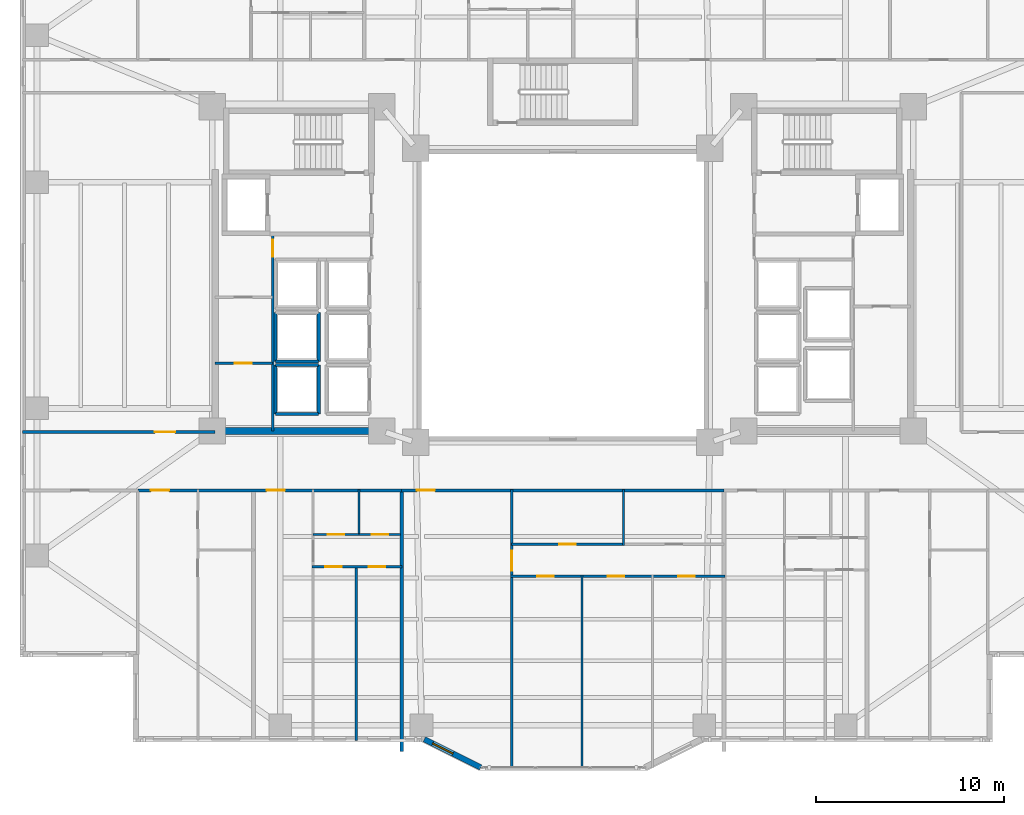
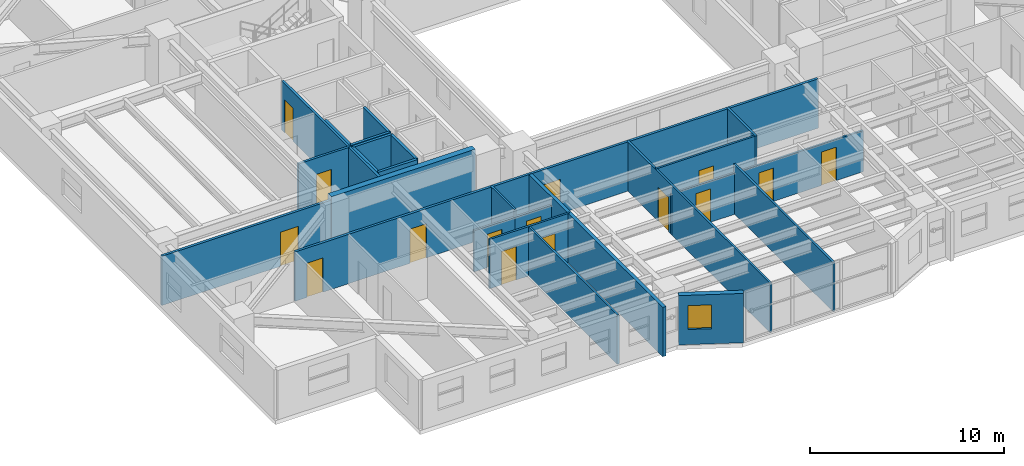
# One storey, part 10 of 21: 25 walls, 15 doors, 1 window, 16 openings.
"""IFC4 building model written with IfcOpenShell, lengths in metres."""

from ifc_helpers import new_model, si_unit, direction, frame, frame_2d, origin, place, context, subcontext, project, spatial, rectangle, extrude, material, layer, layer_set, type_object, element, fill, save


model = new_model("IFC4")

# Units and contexts
model_context = context("Model", 3, precision=1e-05, world=origin(), true_north=direction((0.0, 1.0)))
body_context = subcontext(model_context, "Body", "Model", "MODEL_VIEW")
ifc_project = project(units=[si_unit("LENGTHUNIT", "METRE"), si_unit("AREAUNIT", "SQUARE_METRE"), si_unit("VOLUMEUNIT", "CUBIC_METRE"), si_unit("PLANEANGLEUNIT", "RADIAN"), si_unit("MASSUNIT", "GRAM", prefix="KILO")], contexts=[model_context])

# Site, building, storey
site_placement = place(None, origin())
site = spatial("IfcSite", under=ifc_project, at=site_placement, CompositionType="ELEMENT")
building_placement = place(site_placement, origin())
building = spatial("IfcBuilding", under=site, at=building_placement, Name="Tarnavaz Court Tower", CompositionType="ELEMENT")
storey_placement = place(building_placement, frame((0.0, 0.0, 40.75)))
storey = spatial("IfcBuildingStorey", under=building, at=storey_placement, Name="L10", CompositionType="ELEMENT", Elevation=40.75)

# Wall
ifc_material_1 = material(Name="Concrete C60/75", Category="concrete")
ifc_layer_1 = layer(ifc_material_1, 0.35009765625)
ifc_layer_set_1 = layer_set([ifc_layer_1], Name="Concrete C60/75")
wall_type_1 = type_object("IfcWallType", Name="WL-CORE-350-C60", PredefinedType="SHEAR", material=ifc_layer_set_1)
wall_1_placement = place(storey_placement, frame((-18.625, -7.199951171875, 0.0), z_axis=(0.0, 0.0, 1.0), x_axis=(1.0, 0.0, 0.0)))
element("IfcWall", 1, at=wall_1_placement, inside=storey, type_object=wall_type_1, Name="L10 West Core South Shear Wall 070", PredefinedType="SHEAR", context=body_context, shape_type="SweptSolid", body=[
    extrude(rectangle(XDim=8.550048828125, YDim=0.35009765625, at=frame_2d((4.27490234375, 0.0))), origin(), (0.0, 0.0, 1.0), 3.35009765625),
])

# Wall, opening, window
ifc_material_2 = material(Name="Precast Concrete C40/50", Category="concrete")
ifc_layer_2 = layer(ifc_material_2, 0.300048828125)
ifc_layer_set_2 = layer_set([ifc_layer_2], Name="Precast Concrete C40/50")
wall_type_2 = type_object("IfcWallType", Name="WL-EXT-300", PredefinedType="SOLIDWALL", material=ifc_layer_set_2)
wall_2_placement = place(storey_placement, frame((-4.35009765625, -25.050048828125, 0.0), z_axis=(0.0, 0.0, 1.0), x_axis=(-0.894427191, 0.4472135955, 0.0)))
wall_2 = element("IfcWall", 2, at=wall_2_placement, inside=storey, type_object=wall_type_2, Name="L10 Exterior Terracotta Facade Wall 18", PredefinedType="SOLIDWALL", context=body_context, shape_type="SweptSolid", body=[
    extrude(rectangle(XDim=3.35400390625, YDim=0.300048828125, at=frame_2d((1.677001953125, 0.0))), origin(), (0.0, 0.0, 1.0), 3.10009765625),
])
opening_1_placement = place(wall_2_placement, frame((1.65283203125, 0.0, 0.949951171875)))
opening_1 = element("IfcOpeningElement", 3, at=opening_1_placement, cuts=wall_2, Name="Opening W05", PredefinedType="OPENING", context=body_context, shape_type="SweptSolid", body=[
    extrude(rectangle(XDim=1.199951171875, YDim=1.5, at=frame_2d((0.60009765625, 0.75))), frame((0.0, 0.159912109375, 0.0), z_axis=(0.0, -1.0, 0.0), x_axis=(1.0, 0.0, 0.0)), (0.0, 0.0, 1.0), 0.320068359375),
])
ifc_material_3 = material(Name="Double-Glazed Solar Low-E Glass", Category="glass")
window_type = type_object("IfcWindowType", Name="WN-APT-1200", PartitioningType="SINGLE_PANEL", PredefinedType="WINDOW", material=ifc_material_3)
window_placement = place(opening_1_placement, origin())
window = element("IfcWindow", 4, at=window_placement, inside=storey, type_object=window_type, Name="L10 Flat 07 Living and Dining Room Window", OverallHeight=1.5, OverallWidth=1.199951171875, PartitioningType="SINGLE_PANEL", PredefinedType="WINDOW", context=body_context, shape_type="SweptSolid", body=[
    extrude(rectangle(XDim=1.199951171875, YDim=1.5, at=frame_2d((0.60009765625, 0.75))), frame((0.0, 0.030029296875, 0.0), z_axis=(0.0, -1.0, 0.0), x_axis=(1.0, 0.0, 0.0)), (0.0, 0.0, 1.0), 0.06005859375),
])
fill(opening_1, window)

# Wall, openings, doors
ifc_material_4 = material(Name="Gypsum Fire-Board on Acoustic Metal Stud", Category="masonry")
ifc_layer_3 = layer(ifc_material_4, 0.14990234375)
ifc_layer_set_3 = layer_set([ifc_layer_3], Name="Gypsum Fire-Board on Acoustic Metal Stud")
wall_type_3 = type_object("IfcWallType", Name="WL-FIRE-150", PredefinedType="PARTITIONING", material=ifc_layer_set_3)
wall_3_placement = place(storey_placement, frame((-22.550048828125, -10.35009765625, 0.0), z_axis=(0.0, 0.0, 1.0), x_axis=(1.0, 0.0, 0.0)))
wall_3 = element("IfcWall", 5, at=wall_3_placement, inside=storey, type_object=wall_type_3, Name="L10 SW Corridor Wall 085", PredefinedType="PARTITIONING", context=body_context, shape_type="SweptSolid", body=[
    extrude(rectangle(XDim=14.0, YDim=0.14990234375, at=frame_2d((7.0, 0.0))), origin(), (0.0, 0.0, 1.0), 3.10009765625),
])
opening_2_placement = place(wall_3_placement, frame((0.699951171875, 0.0, 0.0)))
opening_2 = element("IfcOpeningElement", 6, at=opening_2_placement, cuts=wall_3, Name="Opening D06", PredefinedType="OPENING", context=body_context, shape_type="SweptSolid", body=[
    extrude(rectangle(XDim=0.9599609375, YDim=2.14990234375, at=frame_2d((0.47998046875, 1.074951171875))), frame((0.0, 0.0849609375, 0.0), z_axis=(0.0, -1.0, 0.0), x_axis=(1.0, 0.0, 0.0)), (0.0, 0.0, 1.0), 0.169921875),
])
opening_3_placement = place(wall_3_placement, frame((6.837890625, 0.0, 0.0)))
opening_3 = element("IfcOpeningElement", 7, at=opening_3_placement, cuts=wall_3, Name="Opening D06", PredefinedType="OPENING", context=body_context, shape_type="SweptSolid", body=[
    extrude(rectangle(XDim=0.9599609375, YDim=2.14990234375, at=frame_2d((0.47998046875, 1.074951171875))), frame((0.0, 0.0849609375, 0.0), z_axis=(0.0, -1.0, 0.0), x_axis=(1.0, 0.0, 0.0)), (0.0, 0.0, 1.0), 0.169921875),
])
ifc_material_5 = material(Name="Fire-Rated Hardwood Timber Core", Category="wood")
door_type_1 = type_object("IfcDoorType", Name="DR-FD60-950", OperationType="NOTDEFINED", PredefinedType="DOOR", material=ifc_material_5)
door_1_placement = place(opening_2_placement, origin())
door_1 = element("IfcDoor", 8, at=door_1_placement, inside=storey, type_object=door_type_1, Name="L10 Flat 03 Entrance Door", OperationType="SINGLE_SWING_RIGHT", OverallHeight=2.14990234375, OverallWidth=0.9599609375, PredefinedType="DOOR", context=body_context, shape_type="SweptSolid", body=[
    extrude(rectangle(XDim=0.9599609375, YDim=2.14990234375, at=frame_2d((0.47998046875, 1.074951171875))), frame((0.0, 0.02490234375, 0.0), z_axis=(0.0, -1.0, 0.0), x_axis=(1.0, 0.0, 0.0)), (0.0, 0.0, 1.0), 0.050048828125),
])
fill(opening_2, door_1)
door_2_placement = place(opening_3_placement, origin())
door_2 = element("IfcDoor", 9, at=door_2_placement, inside=storey, type_object=door_type_1, Name="L10 Flat 04 Entrance Door", OperationType="SINGLE_SWING_LEFT", OverallHeight=2.14990234375, OverallWidth=0.9599609375, PredefinedType="DOOR", context=body_context, shape_type="SweptSolid", body=[
    extrude(rectangle(XDim=0.9599609375, YDim=2.14990234375, at=frame_2d((0.47998046875, 1.074951171875))), frame((0.0, 0.02490234375, 0.0), z_axis=(0.0, -1.0, 0.0), x_axis=(1.0, 0.0, 0.0)), (0.0, 0.0, 1.0), 0.050048828125),
])
fill(opening_3, door_2)

# Wall, opening, door
wall_4_placement = place(storey_placement, frame((-8.550048828125, -10.35009765625, 0.0), z_axis=(0.0, 0.0, 1.0), x_axis=(1.0, 0.0, 0.0)))
wall_4 = element("IfcWall", 10, at=wall_4_placement, inside=storey, type_object=wall_type_3, Name="L10 South Ring Corridor Wall 086", PredefinedType="PARTITIONING", context=body_context, shape_type="SweptSolid", body=[
    extrude(rectangle(XDim=17.10009765625, YDim=0.14990234375, at=frame_2d((8.550048828125, 0.0))), origin(), (0.0, 0.0, 1.0), 3.10009765625),
])
opening_4_placement = place(wall_4_placement, frame((0.800048828125, 0.0, 0.0)))
opening_4 = element("IfcOpeningElement", 11, at=opening_4_placement, cuts=wall_4, Name="Opening D06", PredefinedType="OPENING", context=body_context, shape_type="SweptSolid", body=[
    extrude(rectangle(XDim=0.9599609375, YDim=2.14990234375, at=frame_2d((0.47998046875, 1.074951171875))), frame((0.0, 0.0849609375, 0.0), z_axis=(0.0, -1.0, 0.0), x_axis=(1.0, 0.0, 0.0)), (0.0, 0.0, 1.0), 0.169921875),
])
door_3_placement = place(opening_4_placement, origin())
door_3 = element("IfcDoor", 12, at=door_3_placement, inside=storey, type_object=door_type_1, Name="L10 Flat 07 Entrance Door", OperationType="SINGLE_SWING_RIGHT", OverallHeight=2.14990234375, OverallWidth=0.9599609375, PredefinedType="DOOR", context=body_context, shape_type="SweptSolid", body=[
    extrude(rectangle(XDim=0.9599609375, YDim=2.14990234375, at=frame_2d((0.47998046875, 1.074951171875))), frame((0.0, 0.02490234375, 0.0), z_axis=(0.0, -1.0, 0.0), x_axis=(1.0, 0.0, 0.0)), (0.0, 0.0, 1.0), 0.050048828125),
])
fill(opening_4, door_3)

wall_5_placement = place(storey_placement, frame((-28.679931640625, -7.25, 0.0), z_axis=(0.0, 0.0, 1.0), x_axis=(1.0, 0.0, 0.0)))
wall_5 = element("IfcWall", 13, at=wall_5_placement, inside=storey, type_object=wall_type_3, Name="L10 Interior Partition 134", PredefinedType="PARTITIONING", context=body_context, shape_type="SweptSolid", body=[
    extrude(rectangle(XDim=10.22998046875, YDim=0.14990234375, at=frame_2d((5.114990234375, 0.0))), origin(), (0.0, 0.0, 1.0), 3.10009765625),
])
opening_5_placement = place(wall_5_placement, frame((7.030029296875, 0.0, 0.0)))
opening_5 = element("IfcOpeningElement", 14, at=opening_5_placement, cuts=wall_5, Name="Opening D12", PredefinedType="OPENING", context=body_context, shape_type="SweptSolid", body=[
    extrude(rectangle(XDim=1.080078125, YDim=2.14990234375, at=frame_2d((0.5400390625, 1.074951171875))), frame((0.0, 0.0849609375, 0.0), z_axis=(0.0, -1.0, 0.0), x_axis=(1.0, 0.0, 0.0)), (0.0, 0.0, 1.0), 0.169921875),
])
ifc_material_6 = material(Name="Engineered Oak Timber", Category="wood")
door_type_2 = type_object("IfcDoorType", Name="DR-INT-1100", OperationType="NOTDEFINED", PredefinedType="DOOR", material=ifc_material_6)
door_4_placement = place(opening_5_placement, origin())
door_4 = element("IfcDoor", 15, at=door_4_placement, inside=storey, type_object=door_type_2, Name="L10 West Meeting Lounge Door", OperationType="SINGLE_SWING_LEFT", OverallHeight=2.14990234375, OverallWidth=1.080078125, PredefinedType="DOOR", context=body_context, shape_type="SweptSolid", body=[
    extrude(rectangle(XDim=1.080078125, YDim=2.14990234375, at=frame_2d((0.5400390625, 1.074951171875))), frame((0.0, 0.02490234375, 0.0), z_axis=(0.0, -1.0, 0.0), x_axis=(1.0, 0.0, 0.0)), (0.0, 0.0, 1.0), 0.050048828125),
])
fill(opening_5, door_4)

# Wall
ifc_material_7 = material(Name="Autoclaved Aerated Concrete Blockwork", Category="masonry")
ifc_layer_4 = layer(ifc_material_7, 0.199951171875)
ifc_layer_set_4 = layer_set([ifc_layer_4], Name="Autoclaved Aerated Concrete Blockwork")
wall_type_4 = type_object("IfcWallType", Name="WL-FIRE-200", PredefinedType="SOLIDWALL", material=ifc_layer_set_4)
wall_6_placement = place(storey_placement, frame((-8.550048828125, -24.2041015625, 0.0), z_axis=(0.0, 0.0, 1.0), x_axis=(0.0, 1.0, 0.0)))
element("IfcWall", 16, at=wall_6_placement, inside=storey, type_object=wall_type_4, Name="L10 Party Wall 125", PredefinedType="SOLIDWALL", context=body_context, shape_type="SweptSolid", body=[
    extrude(rectangle(XDim=13.85400390625, YDim=0.199951171875, at=frame_2d((6.927001953125, 0.0))), origin(), (0.0, 0.0, 1.0), 3.10009765625),
])

# Wall, opening, door
ifc_material_8 = material(Name="Moisture-Resistant Gypsum Board Partition", Category="masonry")
ifc_layer_5 = layer(ifc_material_8, 0.1201171875)
ifc_layer_set_5 = layer_set([ifc_layer_5], Name="Moisture-Resistant Gypsum Board Partition")
wall_type_5 = type_object("IfcWallType", Name="WL-PART-120", PredefinedType="PARTITIONING", material=ifc_layer_set_5)
wall_7_placement = place(storey_placement, frame((-13.251953125, -12.68994140625, 0.0), z_axis=(0.0, 0.0, 1.0), x_axis=(1.0, 0.0, 0.0)))
wall_7 = element("IfcWall", 17, at=wall_7_placement, inside=storey, type_object=wall_type_5, Name="L10 Interior Partition 110", PredefinedType="PARTITIONING", context=body_context, shape_type="SweptSolid", body=[
    extrude(rectangle(XDim=2.433837890625, YDim=0.1201171875, at=frame_2d((1.216796875, 0.0))), origin(), (0.0, 0.0, 1.0), 2.5849609375),
])
opening_6_placement = place(wall_7_placement, frame((0.777099609375, 0.0, 0.0)))
opening_6 = element("IfcOpeningElement", 18, at=opening_6_placement, cuts=wall_7, Name="Opening D14", PredefinedType="OPENING", context=body_context, shape_type="SweptSolid", body=[
    extrude(rectangle(XDim=0.8798828125, YDim=2.10009765625, at=frame_2d((0.43994140625, 1.050048828125))), frame((0.0, 0.070068359375, 0.0), z_axis=(0.0, -1.0, 0.0), x_axis=(1.0, 0.0, 0.0)), (0.0, 0.0, 1.0), 0.14013671875),
])
door_type_3 = type_object("IfcDoorType", Name="DR-INT-900", OperationType="NOTDEFINED", PredefinedType="DOOR", material=ifc_material_6)
door_5_placement = place(opening_6_placement, origin())
door_5 = element("IfcDoor", 19, at=door_5_placement, inside=storey, type_object=door_type_3, Name="L10 Flat 04 Kitchen Door", OperationType="SINGLE_SWING_LEFT", OverallHeight=2.10009765625, OverallWidth=0.8798828125, PredefinedType="DOOR", context=body_context, shape_type="SweptSolid", body=[
    extrude(rectangle(XDim=0.8798828125, YDim=2.10009765625, at=frame_2d((0.43994140625, 1.050048828125))), frame((0.0, 0.02490234375, 0.0), z_axis=(0.0, -1.0, 0.0), x_axis=(1.0, 0.0, 0.0)), (0.0, 0.0, 1.0), 0.050048828125),
])
fill(opening_6, door_5)

wall_8_placement = place(storey_placement, frame((-10.818115234375, -12.68994140625, 0.0), z_axis=(0.0, 0.0, 1.0), x_axis=(1.0, 0.0, 0.0)))
wall_8 = element("IfcWall", 20, at=wall_8_placement, inside=storey, type_object=wall_type_5, Name="L10 Interior Partition 111", PredefinedType="PARTITIONING", context=body_context, shape_type="SweptSolid", body=[
    extrude(rectangle(XDim=2.218017578125, YDim=0.1201171875, at=frame_2d((1.10888671875, 0.0))), origin(), (0.0, 0.0, 1.0), 2.5849609375),
])
opening_7_placement = place(wall_8_placement, frame((0.6689453125, 0.0, 0.0)))
opening_7 = element("IfcOpeningElement", 21, at=opening_7_placement, cuts=wall_8, Name="Opening D14", PredefinedType="OPENING", context=body_context, shape_type="SweptSolid", body=[
    extrude(rectangle(XDim=0.8798828125, YDim=2.10009765625, at=frame_2d((0.43994140625, 1.050048828125))), frame((0.0, 0.070068359375, 0.0), z_axis=(0.0, -1.0, 0.0), x_axis=(1.0, 0.0, 0.0)), (0.0, 0.0, 1.0), 0.14013671875),
])
door_6_placement = place(opening_7_placement, origin())
door_6 = element("IfcDoor", 22, at=door_6_placement, inside=storey, type_object=door_type_3, Name="L10 Flat 04 Bathroom Door", OperationType="SINGLE_SWING_RIGHT", OverallHeight=2.10009765625, OverallWidth=0.8798828125, PredefinedType="DOOR", context=body_context, shape_type="SweptSolid", body=[
    extrude(rectangle(XDim=0.8798828125, YDim=2.10009765625, at=frame_2d((0.43994140625, 1.050048828125))), frame((0.0, 0.02490234375, 0.0), z_axis=(0.0, -1.0, 0.0), x_axis=(1.0, 0.0, 0.0)), (0.0, 0.0, 1.0), 0.050048828125),
])
fill(opening_7, door_6)

# Wall, openings, doors
wall_9_placement = place(storey_placement, frame((-13.31201171875, -14.39990234375, 0.0), z_axis=(0.0, 0.0, 1.0), x_axis=(1.0, 0.0, 0.0)))
wall_9 = element("IfcWall", 23, at=wall_9_placement, inside=storey, type_object=wall_type_5, Name="L10 Interior Partition 112", PredefinedType="PARTITIONING", context=body_context, shape_type="SweptSolid", body=[
    extrude(rectangle(XDim=4.77197265625, YDim=0.1201171875, at=frame_2d((2.385986328125, 0.0))), origin(), (0.0, 0.0, 1.0), 3.10009765625),
])
opening_8_placement = place(wall_9_placement, frame((0.7080078125, 0.0, 0.0)))
opening_8 = element("IfcOpeningElement", 24, at=opening_8_placement, cuts=wall_9, Name="Opening D14", PredefinedType="OPENING", context=body_context, shape_type="SweptSolid", body=[
    extrude(rectangle(XDim=0.8798828125, YDim=2.10009765625, at=frame_2d((0.43994140625, 1.050048828125))), frame((0.0, 0.070068359375, 0.0), z_axis=(0.0, -1.0, 0.0), x_axis=(1.0, 0.0, 0.0)), (0.0, 0.0, 1.0), 0.14013671875),
])
opening_9_placement = place(wall_9_placement, frame((3.00390625, 0.0, 0.0)))
opening_9 = element("IfcOpeningElement", 25, at=opening_9_placement, cuts=wall_9, Name="Opening D14", PredefinedType="OPENING", context=body_context, shape_type="SweptSolid", body=[
    extrude(rectangle(XDim=0.8798828125, YDim=2.10009765625, at=frame_2d((0.43994140625, 1.050048828125))), frame((0.0, 0.070068359375, 0.0), z_axis=(0.0, -1.0, 0.0), x_axis=(1.0, 0.0, 0.0)), (0.0, 0.0, 1.0), 0.14013671875),
])
door_7_placement = place(opening_8_placement, origin())
door_7 = element("IfcDoor", 26, at=door_7_placement, inside=storey, type_object=door_type_3, Name="L10 Flat 04 Bedroom 1 Door", OperationType="SINGLE_SWING_LEFT", OverallHeight=2.10009765625, OverallWidth=0.8798828125, PredefinedType="DOOR", context=body_context, shape_type="SweptSolid", body=[
    extrude(rectangle(XDim=0.8798828125, YDim=2.10009765625, at=frame_2d((0.43994140625, 1.050048828125))), frame((0.0, 0.02490234375, 0.0), z_axis=(0.0, -1.0, 0.0), x_axis=(1.0, 0.0, 0.0)), (0.0, 0.0, 1.0), 0.050048828125),
])
fill(opening_8, door_7)
door_8_placement = place(opening_9_placement, origin())
door_8 = element("IfcDoor", 27, at=door_8_placement, inside=storey, type_object=door_type_3, Name="L10 Flat 04 Bedroom 2 Door", OperationType="SINGLE_SWING_RIGHT", OverallHeight=2.10009765625, OverallWidth=0.8798828125, PredefinedType="DOOR", context=body_context, shape_type="SweptSolid", body=[
    extrude(rectangle(XDim=0.8798828125, YDim=2.10009765625, at=frame_2d((0.43994140625, 1.050048828125))), frame((0.0, 0.02490234375, 0.0), z_axis=(0.0, -1.0, 0.0), x_axis=(1.0, 0.0, 0.0)), (0.0, 0.0, 1.0), 0.050048828125),
])
fill(opening_9, door_8)

# Walls
wall_10_placement = place(storey_placement, frame((-10.818115234375, -12.75, 0.0), z_axis=(0.0, 0.0, 1.0), x_axis=(0.0, 1.0, 0.0)))
element("IfcWall", 28, at=wall_10_placement, inside=storey, type_object=wall_type_5, Name="L10 Interior Partition 113", PredefinedType="PARTITIONING", context=body_context, shape_type="SweptSolid", body=[
    extrude(rectangle(XDim=2.4599609375, YDim=0.1201171875, at=frame_2d((1.22998046875, 0.0))), origin(), (0.0, 0.0, 1.0), 3.10009765625),
])
wall_11_placement = place(storey_placement, frame((-10.9560546875, -23.611083984375, 0.0), z_axis=(0.0, 0.0, 1.0), x_axis=(0.0, 1.0, 0.0)))
element("IfcWall", 29, at=wall_11_placement, inside=storey, type_object=wall_type_5, Name="L10 Interior Partition 114", PredefinedType="PARTITIONING", context=body_context, shape_type="SweptSolid", body=[
    extrude(rectangle(XDim=9.27099609375, YDim=0.1201171875, at=frame_2d((4.635498046875, 0.0))), origin(), (0.0, 0.0, 1.0), 3.10009765625),
])

# Wall, opening, door
wall_12_placement = place(storey_placement, frame((-2.717041015625, -25.080078125, 0.0), z_axis=(0.0, 0.0, 1.0), x_axis=(0.0, 1.0, 0.0)))
wall_12 = element("IfcWall", 30, at=wall_12_placement, inside=storey, type_object=wall_type_5, Name="L10 Interior Partition 127", PredefinedType="PARTITIONING", context=body_context, shape_type="SweptSolid", body=[
    extrude(rectangle(XDim=14.7900390625, YDim=0.1201171875, at=frame_2d((7.39501953125, 0.0))), origin(), (0.0, 0.0, 1.0), 3.10009765625),
])
opening_10_placement = place(wall_12_placement, frame((10.455078125, 0.0, 0.0)))
opening_10 = element("IfcOpeningElement", 31, at=opening_10_placement, cuts=wall_12, Name="Opening D12", PredefinedType="OPENING", context=body_context, shape_type="SweptSolid", body=[
    extrude(rectangle(XDim=1.080078125, YDim=2.14990234375, at=frame_2d((0.5400390625, 1.074951171875))), frame((0.0, 0.070068359375, 0.0), z_axis=(0.0, -1.0, 0.0), x_axis=(1.0, 0.0, 0.0)), (0.0, 0.0, 1.0), 0.14013671875),
])
door_9_placement = place(opening_10_placement, origin())
door_9 = element("IfcDoor", 32, at=door_9_placement, inside=storey, type_object=door_type_2, Name="L10 Flat 07 Foyer Door", OperationType="SINGLE_SWING_LEFT", OverallHeight=2.14990234375, OverallWidth=1.080078125, PredefinedType="DOOR", context=body_context, shape_type="SweptSolid", body=[
    extrude(rectangle(XDim=1.080078125, YDim=2.14990234375, at=frame_2d((0.5400390625, 1.074951171875))), frame((0.0, 0.02490234375, 0.0), z_axis=(0.0, -1.0, 0.0), x_axis=(1.0, 0.0, 0.0)), (0.0, 0.0, 1.0), 0.050048828125),
])
fill(opening_10, door_9)

wall_13_placement = place(storey_placement, frame((-2.717041015625, -13.199951171875, 0.0), z_axis=(0.0, 0.0, 1.0), x_axis=(1.0, 0.0, 0.0)))
wall_13 = element("IfcWall", 33, at=wall_13_placement, inside=storey, type_object=wall_type_5, Name="L10 Interior Partition 128", PredefinedType="PARTITIONING", context=body_context, shape_type="SweptSolid", body=[
    extrude(rectangle(XDim=5.93994140625, YDim=0.1201171875, at=frame_2d((2.969970703125, 0.0))), origin(), (0.0, 0.0, 1.0), 3.10009765625),
])
opening_11_placement = place(wall_13_placement, frame((2.530029296875, 0.0, 0.0)))
opening_11 = element("IfcOpeningElement", 34, at=opening_11_placement, cuts=wall_13, Name="Opening D14", PredefinedType="OPENING", context=body_context, shape_type="SweptSolid", body=[
    extrude(rectangle(XDim=0.8798828125, YDim=2.10009765625, at=frame_2d((0.43994140625, 1.050048828125))), frame((0.0, 0.070068359375, 0.0), z_axis=(0.0, -1.0, 0.0), x_axis=(1.0, 0.0, 0.0)), (0.0, 0.0, 1.0), 0.14013671875),
])
door_10_placement = place(opening_11_placement, origin())
door_10 = element("IfcDoor", 35, at=door_10_placement, inside=storey, type_object=door_type_3, Name="L10 Flat 07 Kitchen Door", OperationType="SINGLE_SWING_RIGHT", OverallHeight=2.10009765625, OverallWidth=0.8798828125, PredefinedType="DOOR", context=body_context, shape_type="SweptSolid", body=[
    extrude(rectangle(XDim=0.8798828125, YDim=2.10009765625, at=frame_2d((0.43994140625, 1.050048828125))), frame((0.0, 0.02490234375, 0.0), z_axis=(0.0, -1.0, 0.0), x_axis=(1.0, 0.0, 0.0)), (0.0, 0.0, 1.0), 0.050048828125),
])
fill(opening_11, door_10)

# Wall, openings, doors
wall_14_placement = place(storey_placement, frame((-2.777099609375, -14.909912109375, 0.0), z_axis=(0.0, 0.0, 1.0), x_axis=(1.0, 0.0, 0.0)))
wall_14 = element("IfcWall", 36, at=wall_14_placement, inside=storey, type_object=wall_type_5, Name="L10 Interior Partition 130", PredefinedType="PARTITIONING", context=body_context, shape_type="SweptSolid", body=[
    extrude(rectangle(XDim=11.38720703125, YDim=0.1201171875, at=frame_2d((5.693603515625, 0.0))), origin(), (0.0, 0.0, 1.0), 2.5849609375),
])
opening_12_placement = place(wall_14_placement, frame((1.427978515625, 0.0, 0.0)))
opening_12 = element("IfcOpeningElement", 37, at=opening_12_placement, cuts=wall_14, Name="Opening D14", PredefinedType="OPENING", context=body_context, shape_type="SweptSolid", body=[
    extrude(rectangle(XDim=0.8798828125, YDim=2.10009765625, at=frame_2d((0.43994140625, 1.050048828125))), frame((0.0, 0.070068359375, 0.0), z_axis=(0.0, -1.0, 0.0), x_axis=(1.0, 0.0, 0.0)), (0.0, 0.0, 1.0), 0.14013671875),
])
opening_13_placement = place(wall_14_placement, frame((5.1640625, 0.0, 0.0)))
opening_13 = element("IfcOpeningElement", 38, at=opening_13_placement, cuts=wall_14, Name="Opening D14", PredefinedType="OPENING", context=body_context, shape_type="SweptSolid", body=[
    extrude(rectangle(XDim=0.8798828125, YDim=2.10009765625, at=frame_2d((0.43994140625, 1.050048828125))), frame((0.0, 0.070068359375, 0.0), z_axis=(0.0, -1.0, 0.0), x_axis=(1.0, 0.0, 0.0)), (0.0, 0.0, 1.0), 0.14013671875),
])
opening_14_placement = place(wall_14_placement, frame((8.89892578125, 0.0, 0.0)))
opening_14 = element("IfcOpeningElement", 39, at=opening_14_placement, cuts=wall_14, Name="Opening D14", PredefinedType="OPENING", context=body_context, shape_type="SweptSolid", body=[
    extrude(rectangle(XDim=0.8798828125, YDim=2.10009765625, at=frame_2d((0.43994140625, 1.050048828125))), frame((0.0, 0.070068359375, 0.0), z_axis=(0.0, -1.0, 0.0), x_axis=(1.0, 0.0, 0.0)), (0.0, 0.0, 1.0), 0.14013671875),
])
door_11_placement = place(opening_12_placement, origin())
door_11 = element("IfcDoor", 40, at=door_11_placement, inside=storey, type_object=door_type_3, Name="L10 Flat 07 Bedroom 1 Door", OperationType="SINGLE_SWING_RIGHT", OverallHeight=2.10009765625, OverallWidth=0.8798828125, PredefinedType="DOOR", context=body_context, shape_type="SweptSolid", body=[
    extrude(rectangle(XDim=0.8798828125, YDim=2.10009765625, at=frame_2d((0.43994140625, 1.050048828125))), frame((0.0, 0.02490234375, 0.0), z_axis=(0.0, -1.0, 0.0), x_axis=(1.0, 0.0, 0.0)), (0.0, 0.0, 1.0), 0.050048828125),
])
fill(opening_12, door_11)
door_12_placement = place(opening_13_placement, origin())
door_12 = element("IfcDoor", 41, at=door_12_placement, inside=storey, type_object=door_type_3, Name="L10 Flat 07 Bedroom 2 Door", OperationType="SINGLE_SWING_LEFT", OverallHeight=2.10009765625, OverallWidth=0.8798828125, PredefinedType="DOOR", context=body_context, shape_type="SweptSolid", body=[
    extrude(rectangle(XDim=0.8798828125, YDim=2.10009765625, at=frame_2d((0.43994140625, 1.050048828125))), frame((0.0, 0.02490234375, 0.0), z_axis=(0.0, -1.0, 0.0), x_axis=(1.0, 0.0, 0.0)), (0.0, 0.0, 1.0), 0.050048828125),
])
fill(opening_13, door_12)
door_13_placement = place(opening_14_placement, origin())
door_13 = element("IfcDoor", 42, at=door_13_placement, inside=storey, type_object=door_type_3, Name="L10 Flat 07 Bedroom 3 Door", OperationType="SINGLE_SWING_RIGHT", OverallHeight=2.10009765625, OverallWidth=0.8798828125, PredefinedType="DOOR", context=body_context, shape_type="SweptSolid", body=[
    extrude(rectangle(XDim=0.8798828125, YDim=2.10009765625, at=frame_2d((0.43994140625, 1.050048828125))), frame((0.0, 0.02490234375, 0.0), z_axis=(0.0, -1.0, 0.0), x_axis=(1.0, 0.0, 0.0)), (0.0, 0.0, 1.0), 0.050048828125),
])
fill(opening_14, door_13)

# Walls
wall_15_placement = place(storey_placement, frame((3.222900390625, -13.260009765625, 0.0), z_axis=(0.0, 0.0, 1.0), x_axis=(0.0, 1.0, 0.0)))
element("IfcWall", 43, at=wall_15_placement, inside=storey, type_object=wall_type_5, Name="L10 Interior Partition 131", PredefinedType="PARTITIONING", context=body_context, shape_type="SweptSolid", body=[
    extrude(rectangle(XDim=2.969970703125, YDim=0.1201171875, at=frame_2d((1.48486328125, 0.0))), origin(), (0.0, 0.0, 1.0), 3.10009765625),
])
wall_16_placement = place(storey_placement, frame((1.01904296875, -25.080078125, 0.0), z_axis=(0.0, 0.0, 1.0), x_axis=(0.0, 1.0, 0.0)))
element("IfcWall", 44, at=wall_16_placement, inside=storey, type_object=wall_type_5, Name="L10 Interior Partition 132", PredefinedType="PARTITIONING", context=body_context, shape_type="SweptSolid", body=[
    extrude(rectangle(XDim=10.22998046875, YDim=0.1201171875, at=frame_2d((5.114990234375, 0.0))), origin(), (0.0, 0.0, 1.0), 3.10009765625),
])

# Wall, opening, door
ifc_material_9 = material(Name="Gypsum Plasterboard Acoustic Partition", Category="masonry")
ifc_layer_6 = layer(ifc_material_9, 0.139892578125)
ifc_layer_set_6 = layer_set([ifc_layer_6], Name="Gypsum Plasterboard Acoustic Partition")
wall_type_6 = type_object("IfcWallType", Name="WL-PART-150", PredefinedType="PARTITIONING", material=ifc_layer_set_6)
wall_17_placement = place(storey_placement, frame((-15.39990234375, -7.199951171875, 0.0), z_axis=(0.0, 0.0, 1.0), x_axis=(0.0, 1.0, 0.0)))
wall_17 = element("IfcWall", 45, at=wall_17_placement, inside=storey, type_object=wall_type_6, Name="L10 Interior Partition 075", PredefinedType="PARTITIONING", context=body_context, shape_type="SweptSolid", body=[
    extrude(rectangle(XDim=10.449951171875, YDim=0.139892578125, at=frame_2d((5.22509765625, 0.0))), origin(), (0.0, 0.0, 1.0), 3.10009765625),
])
opening_15_placement = place(wall_17_placement, frame((9.25, 0.0, 0.0)))
opening_15 = element("IfcOpeningElement", 46, at=opening_15_placement, cuts=wall_17, Name="Opening D09", PredefinedType="OPENING", context=body_context, shape_type="SweptSolid", body=[
    extrude(rectangle(XDim=0.89990234375, YDim=2.080078125, at=frame_2d((0.449951171875, 1.0400390625))), frame((0.0, 0.079833984375, 0.0), z_axis=(0.0, -1.0, 0.0), x_axis=(1.0, 0.0, 0.0)), (0.0, 0.0, 1.0), 0.159912109375),
])
door_type_4 = type_object("IfcDoorType", Name="DR-FD30-900", OperationType="NOTDEFINED", PredefinedType="DOOR", material=ifc_material_5)
door_14_placement = place(opening_15_placement, origin())
door_14 = element("IfcDoor", 47, at=door_14_placement, inside=storey, type_object=door_type_4, Name="L10 West ICT Comms Door", OperationType="SINGLE_SWING_RIGHT", OverallHeight=2.080078125, OverallWidth=0.89990234375, PredefinedType="DOOR", context=body_context, shape_type="SweptSolid", body=[
    extrude(rectangle(XDim=0.89990234375, YDim=2.080078125, at=frame_2d((0.449951171875, 1.0400390625))), frame((0.0, 0.02490234375, 0.0), z_axis=(0.0, -1.0, 0.0), x_axis=(1.0, 0.0, 0.0)), (0.0, 0.0, 1.0), 0.050048828125),
])
fill(opening_15, door_14)

wall_18_placement = place(storey_placement, frame((-18.449951171875, -3.60009765625, 0.0), z_axis=(0.0, 0.0, 1.0), x_axis=(1.0, 0.0, 0.0)))
wall_18 = element("IfcWall", 48, at=wall_18_placement, inside=storey, type_object=wall_type_6, Name="L10 Interior Partition 076", PredefinedType="PARTITIONING", context=body_context, shape_type="SweptSolid", body=[
    extrude(rectangle(XDim=3.050048828125, YDim=0.139892578125, at=frame_2d((1.52490234375, 0.0))), origin(), (0.0, 0.0, 1.0), 3.10009765625),
])
opening_16_placement = place(wall_18_placement, frame((1.050048828125, 0.0, 0.0)))
opening_16 = element("IfcOpeningElement", 49, at=opening_16_placement, cuts=wall_18, Name="Opening D09", PredefinedType="OPENING", context=body_context, shape_type="SweptSolid", body=[
    extrude(rectangle(XDim=0.89990234375, YDim=2.080078125, at=frame_2d((0.449951171875, 1.0400390625))), frame((0.0, 0.079833984375, 0.0), z_axis=(0.0, -1.0, 0.0), x_axis=(1.0, 0.0, 0.0)), (0.0, 0.0, 1.0), 0.159912109375),
])
door_15_placement = place(opening_16_placement, origin())
door_15 = element("IfcDoor", 50, at=door_15_placement, inside=storey, type_object=door_type_4, Name="L10 West Electrical Closet Door", OperationType="SINGLE_SWING_RIGHT", OverallHeight=2.080078125, OverallWidth=0.89990234375, PredefinedType="DOOR", context=body_context, shape_type="SweptSolid", body=[
    extrude(rectangle(XDim=0.89990234375, YDim=2.080078125, at=frame_2d((0.449951171875, 1.0400390625))), frame((0.0, 0.02490234375, 0.0), z_axis=(0.0, -1.0, 0.0), x_axis=(1.0, 0.0, 0.0)), (0.0, 0.0, 1.0), 0.050048828125),
])
fill(opening_16, door_15)

# Walls
ifc_layer_7 = layer(ifc_material_7, 0.159912109375)
ifc_layer_set_7 = layer_set([ifc_layer_7], Name="Autoclaved Aerated Concrete Blockwork")
wall_type_7 = type_object("IfcWallType", Name="WL-SHAFT-150", PredefinedType="SOLIDWALL", material=ifc_layer_set_7)
for number, where, z_axis, x_axis, name in (
    (51, (-15.25, -6.300048828125, 0.0), (0.0, 0.0, 1.0), (0.0, 1.0, 0.0), "L10 Lift PL-H1 Shaft Wall 033"),
    (52, (-12.949951171875, -6.300048828125, 0.0), (0.0, 0.0, 1.0), (0.0, 1.0, 0.0), "L10 Lift PL-H1 Shaft Wall 034"),
):
    element("IfcWall", number, at=place(storey_placement, frame(where, z_axis=z_axis, x_axis=x_axis)), inside=storey, type_object=wall_type_7, Name=name, PredefinedType="SOLIDWALL", context=body_context, shape_type="SweptSolid", body=[
        extrude(rectangle(XDim=2.60009765625, YDim=0.159912109375, at=frame_2d((1.300048828125, 0.0))), origin(), (0.0, 0.0, 1.0), 3.10009765625),
    ])
for number, where, z_axis, x_axis, name in (
    (53, (-15.25, -6.300048828125, 0.0), (0.0, 0.0, 1.0), (1.0, 0.0, 0.0), "L10 Lift PL-H1 Shaft Wall 035"),
    (54, (-15.25, -3.699951171875, 0.0), (0.0, 0.0, 1.0), (1.0, 0.0, 0.0), "L10 Lift PL-H1 Shaft Wall 036"),
):
    element("IfcWall", number, at=place(storey_placement, frame(where, z_axis=z_axis, x_axis=x_axis)), inside=storey, type_object=wall_type_7, Name=name, PredefinedType="SOLIDWALL", context=body_context, shape_type="SweptSolid", body=[
        extrude(rectangle(XDim=2.300048828125, YDim=0.159912109375, at=frame_2d((1.14990234375, 0.0))), origin(), (0.0, 0.0, 1.0), 3.10009765625),
    ])
for number, where, z_axis, x_axis, name in (
    (55, (-15.25, -3.5, 0.0), (0.0, 0.0, 1.0), (0.0, 1.0, 0.0), "L10 Lift PL-H2 Shaft Wall 037"),
    (56, (-12.949951171875, -3.5, 0.0), (0.0, 0.0, 1.0), (0.0, 1.0, 0.0), "L10 Lift PL-H2 Shaft Wall 038"),
):
    element("IfcWall", number, at=place(storey_placement, frame(where, z_axis=z_axis, x_axis=x_axis)), inside=storey, type_object=wall_type_7, Name=name, PredefinedType="SOLIDWALL", context=body_context, shape_type="SweptSolid", body=[
        extrude(rectangle(XDim=2.60009765625, YDim=0.159912109375, at=frame_2d((1.300048828125, 0.0))), origin(), (0.0, 0.0, 1.0), 3.10009765625),
    ])
wall_19_placement = place(storey_placement, frame((-15.25, -3.5, 0.0), z_axis=(0.0, 0.0, 1.0), x_axis=(1.0, 0.0, 0.0)))
element("IfcWall", 57, at=wall_19_placement, inside=storey, type_object=wall_type_7, Name="L10 Lift PL-H2 Shaft Wall 039", PredefinedType="SOLIDWALL", context=body_context, shape_type="SweptSolid", body=[
    extrude(rectangle(XDim=2.300048828125, YDim=0.159912109375, at=frame_2d((1.14990234375, 0.0))), origin(), (0.0, 0.0, 1.0), 3.10009765625),
])

save(model, "model.ifc")
